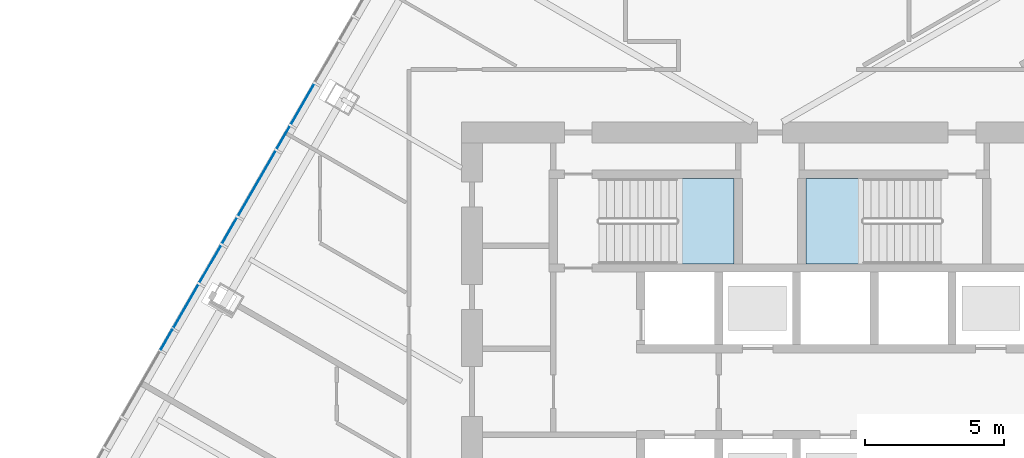
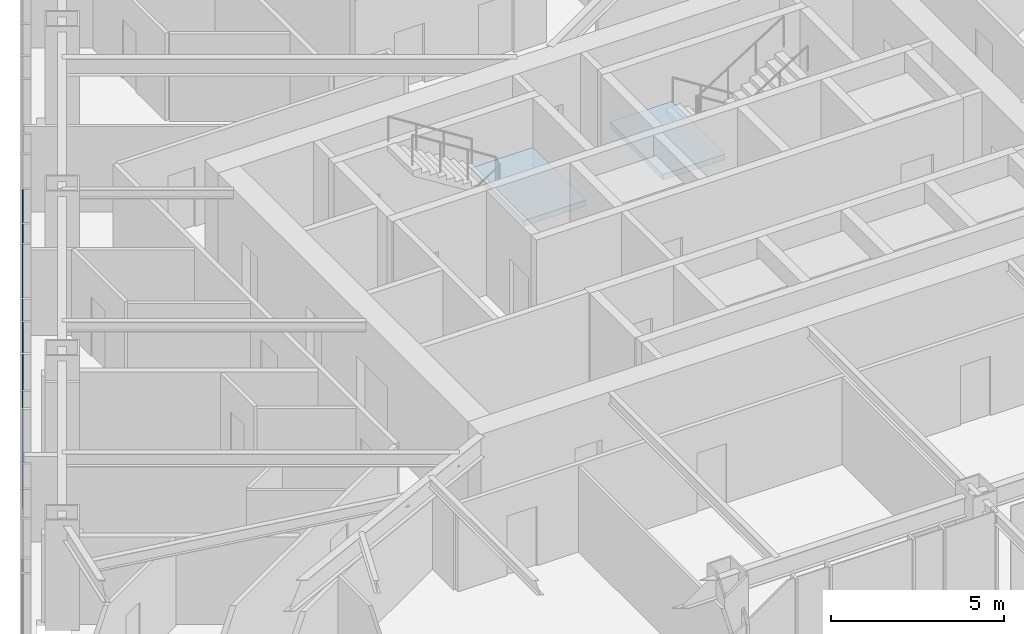
# One storey, part 10 of 21: 7 plates, 2 slabs, 3 elements without a shape of their own.
"""IFC4 building model written with IfcOpenShell, lengths in metres."""

from ifc_helpers import new_model, si_unit, direction, frame, origin, place, context, subcontext, project, spatial, polyline, outline, extrude, material, layer, layer_set, type_object, element, aggregate, save


model = new_model("IFC4")

# Units and contexts
model_context = context("Model", 3, precision=1e-05, world=origin(), true_north=direction((0.0, 1.0)))
body_context = subcontext(model_context, "Body", "Model", "MODEL_VIEW")
ifc_project = project(units=[si_unit("LENGTHUNIT", "METRE"), si_unit("AREAUNIT", "SQUARE_METRE"), si_unit("VOLUMEUNIT", "CUBIC_METRE"), si_unit("PLANEANGLEUNIT", "RADIAN"), si_unit("MASSUNIT", "GRAM", prefix="KILO")], contexts=[model_context])

# Site, building, storey
site_placement = place(None, origin())
site = spatial("IfcSite", under=ifc_project, at=site_placement, CompositionType="ELEMENT")
building_placement = place(site_placement, origin())
building = spatial("IfcBuilding", under=site, at=building_placement, Name="Firuza Gate Tower and Library", CompositionType="ELEMENT")
storey_placement = place(building_placement, frame((0.0, 0.0, 222.10009765625)))
storey = spatial("IfcBuildingStorey", under=building, at=storey_placement, Name="L52", CompositionType="ELEMENT", Elevation=222.10009765625)

# Curtain wall, plates
ifc_material_1 = material(Name="Aluminium 6063-T6", Category="aluminium")
ifc_layer_1 = layer(ifc_material_1, 0.14990234375)
ifc_layer_set_1 = layer_set([ifc_layer_1], Name="Unitised curtain wall, hotel")
curtain_wall_type = type_object("IfcCurtainWallType", Name="Unitised curtain wall, hotel", PredefinedType="NOTDEFINED", material=ifc_layer_set_1)
placement_1 = place(storey_placement, origin())
curtain_wall = element("IfcCurtainWall", 1, at=placement_1, inside=storey, type_object=curtain_wall_type, Name="CW2 L52 W face", PredefinedType="NOTDEFINED")
ifc_material_2 = material(Name="Fritted glass", Category="glass")
ifc_layer_2 = layer(ifc_material_2, 0.030029296875)
ifc_layer_set_2 = layer_set([ifc_layer_2], Name="Fritted glass unit, hotel")
plate_type_1 = type_object("IfcPlateType", Name="Fritted glass unit, hotel", PredefinedType="CURTAIN_PANEL", material=ifc_layer_set_2)
plate_1_placement = place(storey_placement, frame((58.678466796875, 84.376953125, 0.14990234375), z_axis=(-0.865978895617, 0.500080545859, 0.0), x_axis=(-0.500080545859, -0.865978895617, 0.0)))
plate_1 = element("IfcPlate", 2, at=plate_1_placement, type_object=plate_type_1, Name="Glass unit", PredefinedType="CURTAIN_PANEL", context=body_context, shape_type="SweptSolid", body=[
    extrude(outline(polyline([(0.0, 0.0), (1.6720939207688459, 0.0), (1.6720939207688459, 3.550048828125), (0.0, 3.550048828125), (0.0, 0.0)])), origin(), (0.0, 0.0, -1.0), 0.030029296875),
])
plate_2_placement = place(storey_placement, frame((55.32666015625, 78.571533203125, 0.14990234375), z_axis=(-0.866012271747, 0.500022744667, 0.0), x_axis=(-0.500022744667, -0.866012271747, 0.0)))
plate_2 = element("IfcPlate", 3, at=plate_2_placement, type_object=plate_type_1, Name="Glass unit", PredefinedType="CURTAIN_PANEL", context=body_context, shape_type="SweptSolid", body=[
    extrude(outline(polyline([(0.0, 0.0), (1.548269414006665, 0.0), (1.548269414006665, 3.550048828125), (0.0, 3.550048828125), (0.0, 0.0)])), origin(), (0.0, 0.0, -1.0), 0.030029296875),
])
plate_3_placement = place(storey_placement, frame((54.512451171875, 77.161376953125, 0.14990234375), z_axis=(-0.866008991624, 0.500028425619, 0.0), x_axis=(-0.500028425619, -0.866008991624, 0.0)))
plate_3 = element("IfcPlate", 4, at=plate_3_placement, type_object=plate_type_1, Name="Glass unit", PredefinedType="CURTAIN_PANEL", context=body_context, shape_type="SweptSolid", body=[
    extrude(outline(polyline([(0.0, 0.0), (1.795796344255184, 0.0), (1.795796344255184, 3.550048828125), (0.0, 3.550048828125), (0.0, 0.0)])), origin(), (0.0, 0.0, -1.0), 0.030029296875),
])
ifc_material_3 = material(Name="Glazed ceramic tile")
ifc_layer_3 = layer(ifc_material_3, 0.030029296875)
ifc_layer_set_3 = layer_set([ifc_layer_3], Name="Opaque ceramic panel, hotel")
plate_type_2 = type_object("IfcPlateType", Name="Opaque ceramic panel, hotel", PredefinedType="CURTAIN_PANEL", material=ifc_layer_set_3)
plate_4_placement = place(storey_placement, frame((57.802490234375, 82.859619140625, 0.14990234375), z_axis=(-0.866009237431, 0.5000279999, 0.0), x_axis=(-0.5000279999, -0.866009237431, 0.0)))
plate_4 = element("IfcPlate", 5, at=plate_4_placement, type_object=plate_type_2, Name="Opaque ceramic panel", PredefinedType="CURTAIN_PANEL", context=body_context, shape_type="SweptSolid", body=[
    extrude(outline(polyline([(0.0, 0.0), (0.9452595656525632, 0.0), (0.9452595656525632, 3.550048828125), (0.0, 3.550048828125), (0.0, 0.0)])), origin(), (0.0, 0.0, -1.0), 0.030029296875),
])
plate_5_placement = place(storey_placement, frame((57.289794921875, 81.971923828125, 0.14990234375), z_axis=(-0.866051453367, 0.499954878085, 0.0), x_axis=(-0.499954878085, -0.866051453367, 0.0)))
plate_5 = element("IfcPlate", 6, at=plate_5_placement, type_object=plate_type_2, Name="Opaque ceramic panel", PredefinedType="CURTAIN_PANEL", context=body_context, shape_type="SweptSolid", body=[
    extrude(outline(polyline([(0.0, 0.0), (2.697509058547344, 0.0), (2.697509058547344, 3.550048828125001), (0.0, 3.550048828125001), (0.0, 0.0)])), origin(), (0.0, 0.0, -1.0), 0.030029296875),
])
plate_6_placement = place(storey_placement, frame((55.901123046875, 79.566650390625, 0.14990234375), z_axis=(-0.866056279496, 0.499946517884, 0.0), x_axis=(-0.499946517884, -0.866056279496, 0.0)))
plate_6 = element("IfcPlate", 7, at=plate_6_placement, type_object=plate_type_2, Name="Opaque ceramic panel", PredefinedType="CURTAIN_PANEL", context=body_context, shape_type="SweptSolid", body=[
    extrude(outline(polyline([(0.0, 0.0), (1.0689619969481339, 0.0), (1.0689619969481339, 3.550048828125), (0.0, 3.550048828125), (0.0, 0.0)])), origin(), (0.0, 0.0, -1.0), 0.030029296875),
])
plate_7_placement = place(storey_placement, frame((53.574462890625, 75.536865234375, 0.14990234375), z_axis=(-0.866076708598, 0.499911126926, 0.0), x_axis=(-0.499911126926, -0.866076708598, 0.0)))
plate_7 = element("IfcPlate", 8, at=plate_7_placement, type_object=plate_type_2, Name="Opaque ceramic panel", PredefinedType="CURTAIN_PANEL", context=body_context, shape_type="SweptSolid", body=[
    extrude(outline(polyline([(0.0, 0.0), (0.821435069419796, 0.0), (0.821435069419796, 3.550048828125), (0.0, 3.550048828125), (0.0, 0.0)])), origin(), (0.0, 0.0, -1.0), 0.030029296875),
])
aggregate(curtain_wall, [plate_1, plate_4, plate_5, plate_6, plate_2, plate_3, plate_7])

# Stair, slab
ifc_material_4 = material(Name="Concrete C35/45", Category="concrete")
stair_type = type_object("IfcStairType", Name="Exit stair ST7", PredefinedType="HALF_TURN_STAIR", material=ifc_material_4)
stair_1 = element("IfcStair", 9, at=placement_1, inside=storey, type_object=stair_type, Name="L52 Stair ST1", PredefinedType="HALF_TURN_STAIR")
ifc_material_5 = material(Name="Concrete C35/45", Category="concrete")
ifc_layer_4 = layer(ifc_material_5, 0.199951171875)
ifc_layer_set_4 = layer_set([ifc_layer_4], Name="Stair landing 200")
slab_type = type_object("IfcSlabType", Name="Stair landing 200", PredefinedType="LANDING", material=ifc_layer_set_4)
placement_2 = place(storey_placement, frame((0.0, 0.0, 1.75)))
slab_1 = element("IfcSlab", 10, at=placement_2, type_object=slab_type, Name="ST1 landing 1", PredefinedType="LANDING", context=body_context, shape_type="SweptSolid", body=[
    extrude(outline(polyline([(71.739990234375, 77.89990234375), (73.81005859375, 77.89990234375), (73.81005859375, 80.97998046875), (71.739990234375, 80.97998046875), (71.739990234375, 77.89990234375)])), origin(), (0.0, 0.0, 1.0), 0.199951171875),
])
aggregate(stair_1, [slab_1])

stair_2 = element("IfcStair", 11, at=placement_1, inside=storey, type_object=stair_type, Name="L52 Stair ST2", PredefinedType="HALF_TURN_STAIR")
slab_2 = element("IfcSlab", 12, at=placement_2, type_object=slab_type, Name="ST2 landing 1", PredefinedType="LANDING", context=body_context, shape_type="SweptSolid", body=[
    extrude(outline(polyline([(78.4599609375, 80.97998046875), (76.389892578125, 80.97998046875), (76.389892578125, 77.89990234375), (78.4599609375, 77.89990234375), (78.4599609375, 80.97998046875)])), origin(), (0.0, 0.0, 1.0), 0.199951171875),
])
aggregate(stair_2, [slab_2])

save(model, "model.ifc")
